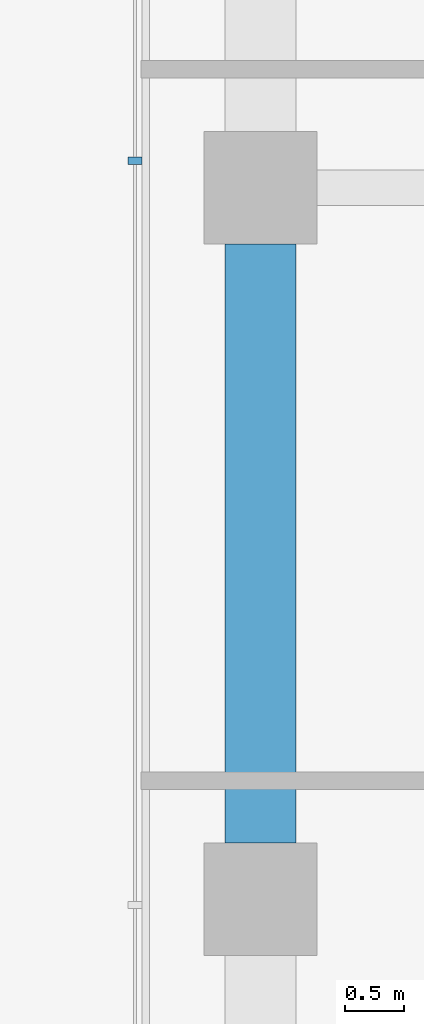
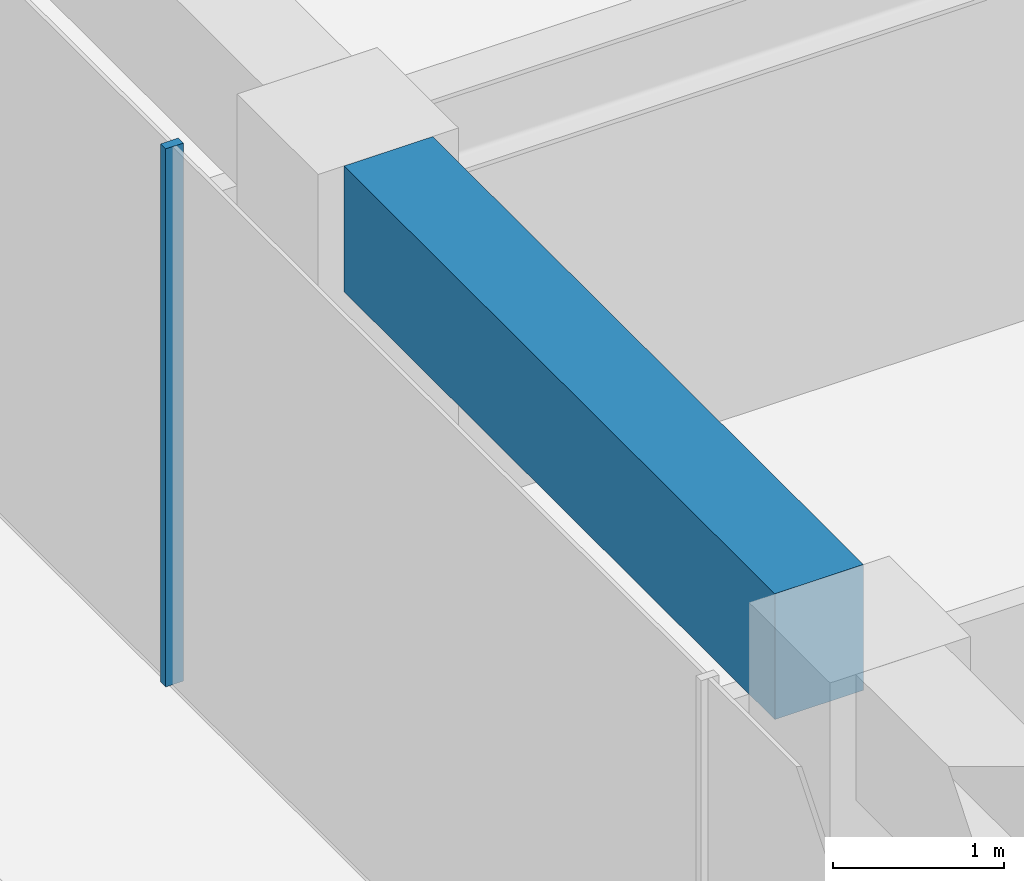
# One storey, part 14 of 29: 1 beam, 1 member, 1 element without a shape of its own.
"""IFC4 building model written with IfcOpenShell, lengths in metres."""

from ifc_helpers import new_model, si_unit, direction, frame, origin, origin_2d, place, context, subcontext, project, spatial, rectangle, extrude, material, layer, layer_set, material_profile, profile_set, type_object, element, aggregate, save


model = new_model("IFC4")

# Units and contexts
model_context = context("Model", 3, precision=1e-05, world=origin(), true_north=direction((0.0, 1.0)))
body_context = subcontext(model_context, "Body", "Model", "MODEL_VIEW")
ifc_project = project(units=[si_unit("LENGTHUNIT", "METRE"), si_unit("AREAUNIT", "SQUARE_METRE"), si_unit("VOLUMEUNIT", "CUBIC_METRE"), si_unit("PLANEANGLEUNIT", "RADIAN"), si_unit("MASSUNIT", "GRAM", prefix="KILO")], contexts=[model_context])

# Site, building, storey
site_placement = place(None, origin())
site = spatial("IfcSite", under=ifc_project, at=site_placement, CompositionType="ELEMENT")
building_placement = place(site_placement, origin())
building = spatial("IfcBuilding", under=site, at=building_placement, Name="Welwitschia Terrace Campus", CompositionType="ELEMENT")
storey_placement = place(building_placement, frame((0.0, 0.0, 33.199951171875)))
storey = spatial("IfcBuildingStorey", under=building, at=storey_placement, Name="L07", CompositionType="ELEMENT", Elevation=33.199951171875)

# Curtain wall, member
ifc_material_1 = material(Name="Bronze anodised aluminium", Category="aluminium")
ifc_layer = layer(ifc_material_1, 0.1201171875)
ifc_layer_set = layer_set([ifc_layer], Name="Bronze anodised aluminium")
curtain_wall_type = type_object("IfcCurtainWallType", Name="Curtain wall CW2 tower 6000", PredefinedType="NOTDEFINED", material=ifc_layer_set)
curtain_wall_placement = place(storey_placement, origin())
curtain_wall = element("IfcCurtainWall", 1, at=curtain_wall_placement, inside=storey, type_object=curtain_wall_type, Name="CW L07.17.0", PredefinedType="NOTDEFINED")
ifc_material_2 = material(Name="Bronze anodised aluminium", Category="aluminium")
ifc_material_profile_1 = material_profile(ifc_material_2, rectangle(XDim=0.1201171875, YDim=0.06005859375, at=origin_2d()))
ifc_profile_set_1 = profile_set([ifc_material_profile_1], Name="Bronze anodised aluminium")
member_type = type_object("IfcMemberType", Name="Mullion 60x120", PredefinedType="MULLION", material=ifc_profile_set_1)
member_placement = place(storey_placement, frame((-1.05810546875, 44.22802734375, 0.0), z_axis=(0.0, 0.0, 1.0), x_axis=(1.0, 0.0, 0.0)))
member = element("IfcMember", 2, at=member_placement, type_object=member_type, Name="Mullion L07.17.0.3", PredefinedType="MULLION", context=body_context, shape_type="SweptSolid", body=[
    extrude(rectangle(XDim=0.1201171875, YDim=0.06005859375, at=origin_2d()), origin(), (0.0, 0.0, 1.0), 3.85009765625),
])
aggregate(curtain_wall, [member])

# Beam
ifc_material_3 = material(Name="Concrete C60/75", Category="concrete")
ifc_material_profile_2 = material_profile(ifc_material_3, rectangle(XDim=0.60009765625, YDim=0.89990234375, at=origin_2d()))
ifc_profile_set_2 = profile_set([ifc_material_profile_2], Name="Concrete C60/75")
beam_type = type_object("IfcBeamType", Name="Ring spandrel 600x900", PredefinedType="SPANDREL", material=ifc_profile_set_2)
beam_placement = place(storey_placement, frame((0.0, 43.5244140625, 3.400146484375), z_axis=(0.0, -1.0, 0.0), x_axis=(1.0, 0.0, 0.0)))
element("IfcBeam", 3, at=beam_placement, inside=storey, type_object=beam_type, Name="Spandrel SP2", PredefinedType="SPANDREL", context=body_context, shape_type="SweptSolid", body=[
    extrude(rectangle(XDim=0.60009765625, YDim=0.89990234375, at=origin_2d()), origin(), (0.0, 0.0, 1.0), 5.048828125),
])

save(model, "model.ifc")
